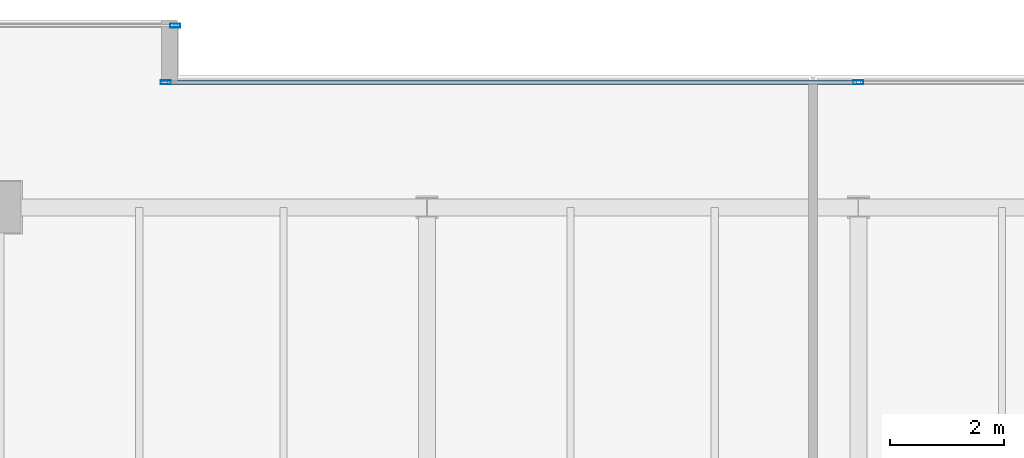
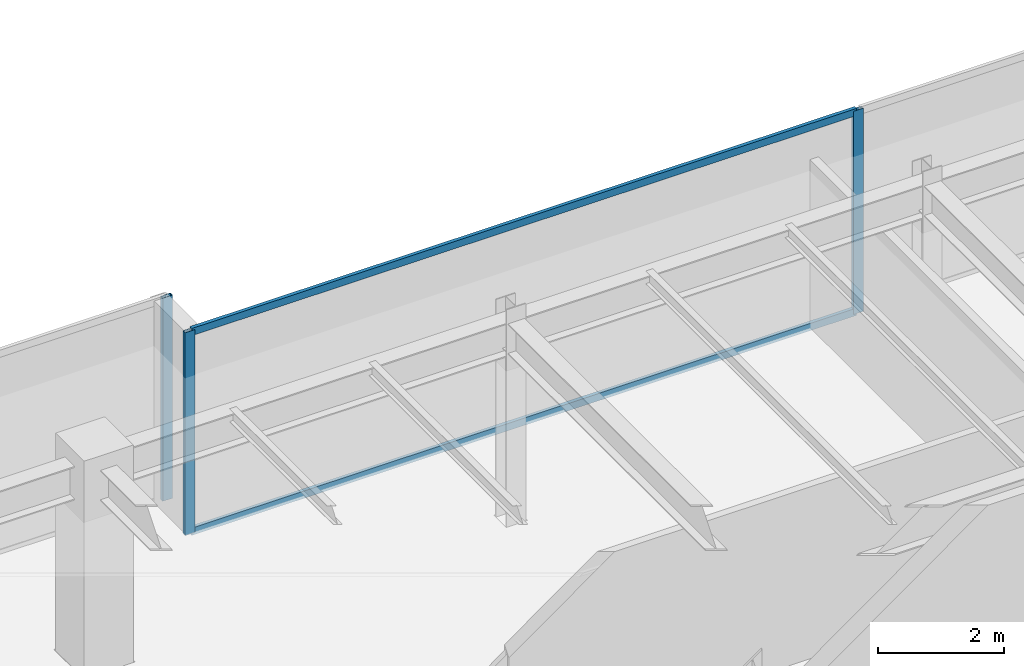
# One storey, part 22 of 34: 5 members, 2 elements without a shape of their own.
"""IFC4 building model written with IfcOpenShell, lengths in metres."""

from ifc_helpers import new_model, si_unit, direction, frame, origin, origin_2d, place, context, subcontext, project, spatial, hollow_rectangle, extrude, source, transform, mapped, material, layer, layer_set, material_profile, profile_set, type_object, type_shapes, element, aggregate, save


model = new_model("IFC4")

# Units and contexts
model_context = context("Model", 3, precision=1e-05, world=origin(), true_north=direction((0.0, 1.0)))
body_context = subcontext(model_context, "Body", "Model", "MODEL_VIEW")
ifc_project = project(units=[si_unit("LENGTHUNIT", "METRE"), si_unit("AREAUNIT", "SQUARE_METRE"), si_unit("VOLUMEUNIT", "CUBIC_METRE"), si_unit("PLANEANGLEUNIT", "RADIAN"), si_unit("MASSUNIT", "GRAM", prefix="KILO")], contexts=[model_context])

# Site, building, storey
site_placement = place(None, origin())
site = spatial("IfcSite", under=ifc_project, at=site_placement, CompositionType="ELEMENT")
building_placement = place(site_placement, origin())
building = spatial("IfcBuilding", under=site, at=building_placement, Name="Haelvirn Gate Laboratories", CompositionType="ELEMENT")
storey_placement = place(building_placement, frame((0.0, 0.0, 322.800048828125)))
storey = spatial("IfcBuildingStorey", under=building, at=storey_placement, Name="L77", CompositionType="ELEMENT", Elevation=322.800048828125)

# Curtain wall, members
ifc_material_1 = material(Name="Anodised bronze unitised aluminium & triple low-E glass", Category="aluminium")
ifc_layer = layer(ifc_material_1, 0.176025390625, Name="CW-SYS-4")
ifc_layer_set = layer_set([ifc_layer], Name="Anodised bronze unitised aluminium & triple low-E glass")
curtain_wall_type = type_object("IfcCurtainWallType", Name="CW-SYS-4", PredefinedType="NOTDEFINED", material=ifc_layer_set)
curtain_wall_1_placement = place(storey_placement, origin())
curtain_wall_1 = element("IfcCurtainWall", 1, at=curtain_wall_1_placement, inside=storey, type_object=curtain_wall_type, Name="L77 Unitised Curtain Wall CW-L77-P0-E12-1", PredefinedType="NOTDEFINED")
ifc_material_2 = material(Name="Extruded aluminium 6063-T6 (anodised bronze)", Category="aluminium")
ifc_material_profile_1 = material_profile(ifc_material_2, hollow_rectangle(XDim=0.06494140625, YDim=0.139892578125, WallThickness=0.00390625, at=origin_2d()), Name="CWT-140x65x4")
ifc_profile_set_1 = profile_set([ifc_material_profile_1], Name="Extruded aluminium 6063-T6 (anodised bronze)")
member_type_1 = type_object("IfcMemberType", Name="CWT-T140", PredefinedType="USERDEFINED", material=ifc_profile_set_1)
shared_shape_1 = source(origin(), body_context, "Body", "SweptSolid", [
    extrude(hollow_rectangle(XDim=0.06494140625, YDim=0.139892578125, WallThickness=0.00390625, at=origin_2d()), origin(), (0.0, 0.0, 1.0), 12.135009765625),
])
type_shapes(member_type_1, [shared_shape_1])
member_1_placement = place(storey_placement, frame((25.22998046875, 43.800048828125, 0.032470703125), z_axis=(1.0, 0.0, 0.0), x_axis=(0.0, 1.0, 0.0)))
member_1 = element("IfcMember", 2, at=member_1_placement, type_object=member_type_1, Name="CW4 transom 1.1", ObjectType="TRANSOM", PredefinedType="USERDEFINED", context=body_context, shape_type="MappedRepresentation", body=[
    mapped(shared_shape_1, transform((0.0, 0.0, 0.0), scale=1.0)),
])
member_2_placement = place(storey_placement, frame((25.22998046875, 43.800048828125, 3.887451171875), z_axis=(1.0, 0.0, 0.0), x_axis=(0.0, 1.0, 0.0)))
member_2 = element("IfcMember", 3, at=member_2_placement, type_object=member_type_1, Name="CW4 transom 1.2", ObjectType="TRANSOM", PredefinedType="USERDEFINED", context=body_context, shape_type="MappedRepresentation", body=[
    mapped(shared_shape_1, transform((0.0, 0.0, 0.0), scale=1.0)),
])
ifc_material_profile_2 = material_profile(ifc_material_2, hollow_rectangle(XDim=0.070068359375, YDim=0.179931640625, WallThickness=0.0048828125, at=origin_2d()), Name="CWM-180x70x5")
ifc_profile_set_2 = profile_set([ifc_material_profile_2], Name="Extruded aluminium 6063-T6 (anodised bronze)")
member_type_2 = type_object("IfcMemberType", Name="CWM-T180", PredefinedType="MULLION", material=ifc_profile_set_2)
shared_shape_2 = source(origin(), body_context, "Body", "SweptSolid", [
    extrude(hollow_rectangle(XDim=0.070068359375, YDim=0.179931640625, WallThickness=0.0048828125, at=origin_2d()), origin(), (0.0, 0.0, 1.0), 3.919921875),
])
type_shapes(member_type_2, [shared_shape_2])
member_3_placement = place(storey_placement, frame((25.195068359375, 43.800048828125, 0.0), z_axis=(0.0, 0.0, 1.0), x_axis=(0.0, 1.0, 0.0)))
member_3 = element("IfcMember", 4, at=member_3_placement, type_object=member_type_2, Name="CW4 mullion 1", PredefinedType="MULLION", context=body_context, shape_type="MappedRepresentation", body=[
    mapped(shared_shape_2, transform((0.0, 0.0, 0.0), scale=1.0)),
])
member_4_placement = place(storey_placement, frame((37.39990234375, 43.800048828125, 0.0), z_axis=(0.0, 0.0, 1.0), x_axis=(0.0, 1.0, 0.0)))
member_4 = element("IfcMember", 5, at=member_4_placement, type_object=member_type_2, Name="CW4 mullion 2", PredefinedType="MULLION", context=body_context, shape_type="MappedRepresentation", body=[
    mapped(shared_shape_2, transform((0.0, 0.0, 0.0), scale=1.0)),
])
aggregate(curtain_wall_1, [member_3, member_4, member_1, member_2])

# Curtain wall, member
curtain_wall_2_placement = place(storey_placement, origin())
curtain_wall_2 = element("IfcCurtainWall", 6, at=curtain_wall_2_placement, inside=storey, type_object=curtain_wall_type, Name="L77 Unitised Curtain Wall CW-L77-P0-E14-1", PredefinedType="NOTDEFINED")
member_5_placement = place(storey_placement, frame((25.364990234375, 44.800048828125, 0.0), z_axis=(0.0, 0.0, 1.0), x_axis=(0.0, 1.0, 0.0)))
member_5 = element("IfcMember", 7, at=member_5_placement, type_object=member_type_2, Name="CW4 mullion 3", PredefinedType="MULLION", context=body_context, shape_type="MappedRepresentation", body=[
    mapped(shared_shape_2, transform((0.0, 0.0, 0.0), scale=1.0)),
])
aggregate(curtain_wall_2, [member_5])

save(model, "model.ifc")
